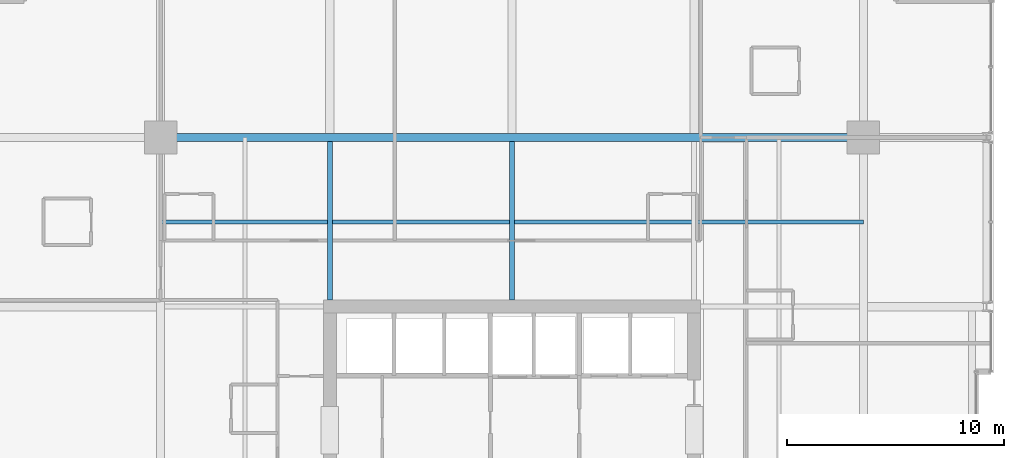
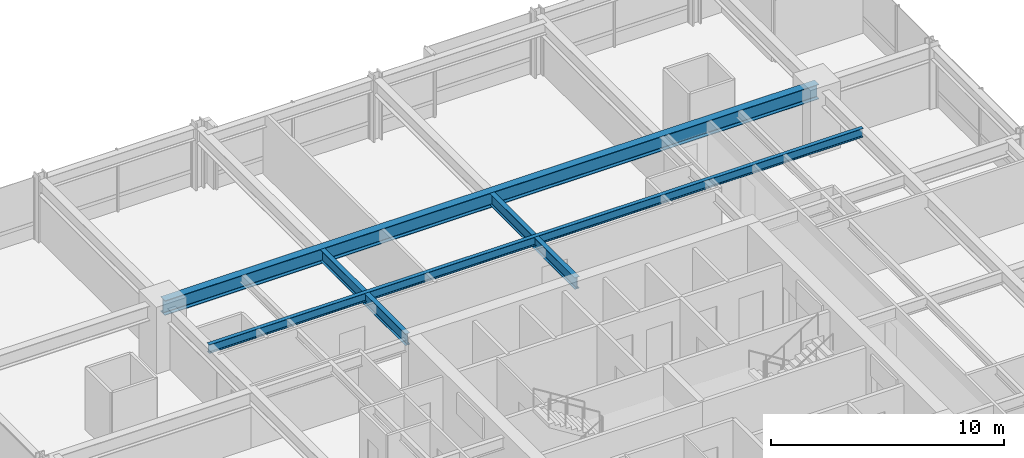
# One storey, part 19 of 34: 4 beams.
"""IFC4 building model written with IfcOpenShell, lengths in metres."""

from ifc_helpers import new_model, si_unit, direction, frame, origin, origin_2d, place, context, subcontext, project, spatial, i_section, extrude, material, material_profile, profile_set, type_object, element, save


model = new_model("IFC4")

# Units and contexts
model_context = context("Model", 3, precision=1e-05, world=origin(), true_north=direction((0.0, 1.0)))
body_context = subcontext(model_context, "Body", "Model", "MODEL_VIEW")
ifc_project = project(units=[si_unit("LENGTHUNIT", "METRE"), si_unit("AREAUNIT", "SQUARE_METRE"), si_unit("VOLUMEUNIT", "CUBIC_METRE"), si_unit("PLANEANGLEUNIT", "RADIAN"), si_unit("MASSUNIT", "GRAM", prefix="KILO")], contexts=[model_context])

# Site, building, storey
site_placement = place(None, origin())
site = spatial("IfcSite", under=ifc_project, at=site_placement, CompositionType="ELEMENT")
building_placement = place(site_placement, origin())
building = spatial("IfcBuilding", under=site, at=building_placement, Name="Drelvath Grand Hotel", CompositionType="ELEMENT")
storey_placement = place(building_placement, frame((0.0, 0.0, 112.800048828125)))
storey = spatial("IfcBuildingStorey", under=building, at=storey_placement, Name="L28", CompositionType="ELEMENT", Elevation=112.800048828125)

# Beams
ifc_material = material(Name="Steel ASTM A992 Gr 50", Category="steel")
ifc_material_profile_1 = material_profile(ifc_material, i_section(OverallWidth=0.19140625, OverallDepth=0.4599609375, WebThickness=0.010009765625, FlangeThickness=0.01611328125, FilletRadius=0.01611328125, at=origin_2d()), Name="W18X55")
ifc_profile_set_1 = profile_set([ifc_material_profile_1], Name="Steel ASTM A992 Gr 50")
beam_type_1 = type_object("IfcBeamType", Name="Composite Floor Joist W18X55", PredefinedType="JOIST", material=ifc_profile_set_1)
beam_1_placement = place(storey_placement, frame((-16.199951171875, 39.300048828125, 3.010009765625), z_axis=(1.0, 0.0, 0.0), x_axis=(0.0, 1.0, 0.0)))
element("IfcBeam", 1, at=beam_1_placement, inside=storey, type_object=beam_type_1, Name="L28 Floor Joist J2", PredefinedType="JOIST", context=body_context, shape_type="SweptSolid", body=[
    extrude(i_section(OverallWidth=0.19140625, OverallDepth=0.4599609375, WebThickness=0.010009765625, FlangeThickness=0.01611328125, FilletRadius=0.01611328125, at=origin_2d()), origin(), (0.0, 0.0, 1.0), 32.39990234375),
])
ifc_material_profile_2 = material_profile(ifc_material, i_section(OverallWidth=0.228271484375, OverallDepth=0.607666015625, WebThickness=0.01123046875, FlangeThickness=0.017333984375, FilletRadius=0.02001953125, at=origin_2d()), Name="W24X76")
ifc_profile_set_2 = profile_set([ifc_material_profile_2], Name="Steel ASTM A992 Gr 50")
beam_type_2 = type_object("IfcBeamType", Name="Primary Floor Girder W24X76", PredefinedType="BEAM", material=ifc_profile_set_2)
for number, where, z_axis, x_axis, name in (
    (2, (-8.39990234375, 35.699951171875, 2.93603515625), (0.0, 1.0, 0.0), (-1.0, 0.0, 0.0), "L28 North Core Tie 4"),
    (3, (0.0, 35.699951171875, 2.93603515625), (0.0, 1.0, 0.0), (-1.0, 0.0, 0.0), "L28 North Core Tie 5"),
):
    element("IfcBeam", number, at=place(storey_placement, frame(where, z_axis=z_axis, x_axis=x_axis)), inside=storey, type_object=beam_type_2, Name=name, PredefinedType="BEAM", context=body_context, shape_type="SweptSolid", body=[
        extrude(i_section(OverallWidth=0.228271484375, OverallDepth=0.607666015625, WebThickness=0.01123046875, FlangeThickness=0.017333984375, FilletRadius=0.02001953125, at=origin_2d()), origin(), (0.0, 0.0, 1.0), 7.309814453125),
    ])
ifc_material_profile_3 = material_profile(ifc_material, i_section(OverallWidth=0.380615234375, OverallDepth=0.773193359375, WebThickness=0.0166015625, FlangeThickness=0.027099609375, FilletRadius=0.02490234375, at=origin_2d()), Name="W30X173")
ifc_profile_set_3 = profile_set([ifc_material_profile_3], Name="Steel ASTM A992 Gr 50")
beam_type_3 = type_object("IfcBeamType", Name="Primary Floor Girder W30X173", PredefinedType="BEAM", material=ifc_profile_set_3)
beam_2_placement = place(storey_placement, frame((-16.199951171875, 43.199951171875, 2.853271484375), z_axis=(1.0, 0.0, 0.0), x_axis=(0.0, 1.0, 0.0)))
element("IfcBeam", 4, at=beam_2_placement, inside=storey, type_object=beam_type_3, Name="L28 Mega Ring Girder North", PredefinedType="BEAM", context=body_context, shape_type="SweptSolid", body=[
    extrude(i_section(OverallWidth=0.380615234375, OverallDepth=0.773193359375, WebThickness=0.0166015625, FlangeThickness=0.027099609375, FilletRadius=0.02490234375, at=origin_2d()), origin(), (0.0, 0.0, 1.0), 32.39990234375),
])

save(model, "model.ifc")
